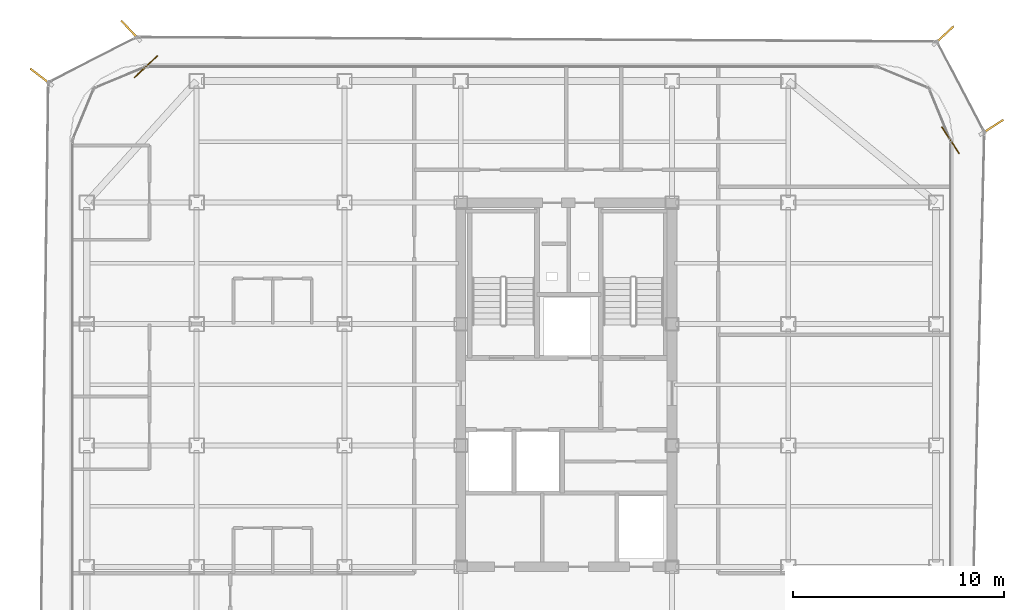
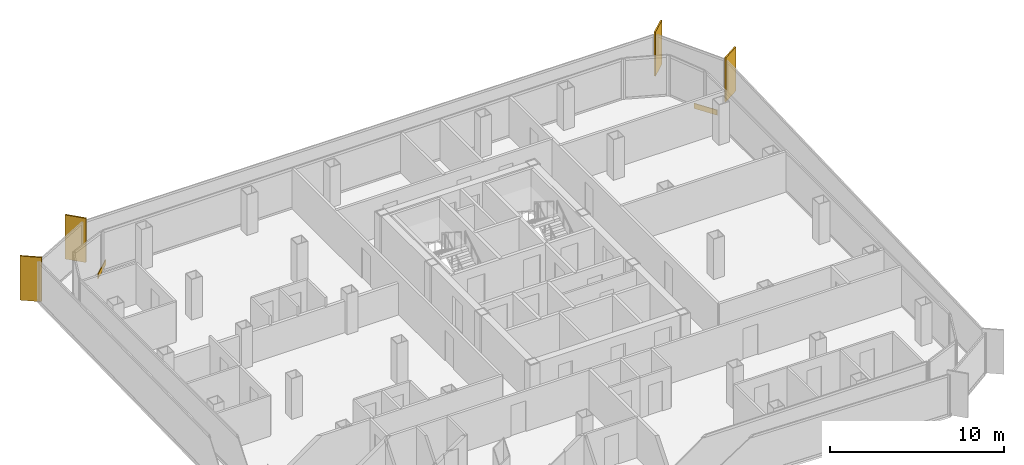
# One storey, part 15 of 15: 4 shading devices, 2 coverings.
"""IFC4 building model written with IfcOpenShell, lengths in metres."""

from ifc_helpers import new_model, si_unit, direction, frame, origin, origin_2d, place, context, subcontext, project, spatial, rectangle, extrude, source, transform, mapped, material, layer, layer_set, type_object, element, save


model = new_model("IFC4")

# Units and contexts
model_context = context("Model", 3, precision=1e-05, world=origin(), true_north=direction((0.0, 1.0)))
body_context = subcontext(model_context, "Body", "Model", "MODEL_VIEW")
ifc_project = project(units=[si_unit("LENGTHUNIT", "METRE"), si_unit("AREAUNIT", "SQUARE_METRE"), si_unit("VOLUMEUNIT", "CUBIC_METRE"), si_unit("PLANEANGLEUNIT", "RADIAN"), si_unit("MASSUNIT", "GRAM", prefix="KILO")], contexts=[model_context])

# Site, building, storey
site_placement = place(None, origin())
site = spatial("IfcSite", under=ifc_project, at=site_placement, CompositionType="ELEMENT")
building_placement = place(site_placement, origin())
building = spatial("IfcBuilding", under=site, at=building_placement, Name="Kolveth Station Tower", CompositionType="ELEMENT")
storey_placement = place(building_placement, frame((0.0, 0.0, 184.89990234375)))
storey = spatial("IfcBuildingStorey", under=building, at=storey_placement, Name="L52", CompositionType="ELEMENT", Elevation=184.89990234375)

# Shading devices
ifc_material_1 = material(Name="Black anodized aluminium 6063-T6", Category="aluminium")
shading_device_type = type_object("IfcShadingDeviceType", Name="FIN_VF1", PredefinedType="USERDEFINED", material=ifc_material_1)
shared_shape_1 = source(origin(), body_context, "Body", "SweptSolid", [
    extrude(rectangle(XDim=1.25, YDim=0.090087890625, at=origin_2d()), origin(), (0.0, 0.0, 1.0), 3.10009765625),
])
for number, where, z_axis, x_axis, name in (
    (1, (43.6650390625, 32.333984375, 0.0), (0.0, 0.0, 1.0), (0.840377460452, 0.54200159037, 0.0), "L52 Dark-Aluminium Solar Fin 3"),
    (2, (41.3759765625, 36.6708984375, 0.0), (0.0, 0.0, 1.0), (0.732661695834, 0.680593005737, 0.0), "L52 Dark-Aluminium Solar Fin 4"),
    (3, (2.860107421875, 36.903076171875, 0.0), (0.0, 0.0, 1.0), (-0.683783356562, 0.729685083642, 0.0), "L52 Dark-Aluminium Solar Fin 5"),
    (4, (-1.376953125, 34.7080078125, 0.0), (0.0, 0.0, 1.0), (-0.793990398648, 0.607930297695, 0.0), "L52 Dark-Aluminium Solar Fin 6"),
):
    element("IfcShadingDevice", number, at=place(storey_placement, frame(where, z_axis=z_axis, x_axis=x_axis)), inside=storey, type_object=shading_device_type, Name=name, ObjectType="FIN", PredefinedType="USERDEFINED", context=body_context, shape_type="MappedRepresentation", body=[
        mapped(shared_shape_1, transform((0.0, 0.0, 0.0), x_axis=(1.0, 0.0, 0.0), y_axis=(0.0, 1.0, 0.0), z_axis=(0.0, 0.0, 1.0), scale=1.0)),
    ])

# Coverings
ifc_material_2 = material(Name="Charcoal anodized aluminium spandrel cladding", Category="aluminium")
ifc_layer = layer(ifc_material_2, 0.044921875)
ifc_layer_set = layer_set([ifc_layer], Name="Charcoal anodized aluminium spandrel cladding")
covering_type = type_object("IfcCoveringType", Name="Clad_CD1", PredefinedType="CLADDING", material=ifc_layer_set)
shared_shape_2 = source(origin(), body_context, "Body", "SweptSolid", [
    extrude(rectangle(XDim=1.5, YDim=0.044921875, at=origin_2d()), origin(), (0.0, 0.0, 1.0), 0.360107421875),
])
for number, where, z_axis, x_axis, name in (
    (5, (41.679931640625, 31.699951171875, 0.0), (0.0, 0.0, 1.0), (-0.54200159037, 0.840377460452, 0.0), "L52 Spandrel Edge Cladding 3"),
    (6, (3.60009765625, 35.179931640625, 0.0), (0.0, 0.0, 1.0), (-0.729685083642, -0.683783356562, 0.0), "L52 Spandrel Edge Cladding 5"),
):
    element("IfcCovering", number, at=place(storey_placement, frame(where, z_axis=z_axis, x_axis=x_axis)), inside=storey, type_object=covering_type, Name=name, PredefinedType="CLADDING", context=body_context, shape_type="MappedRepresentation", body=[
        mapped(shared_shape_2, transform((0.0, 0.0, 0.0), x_axis=(1.0, 0.0, 0.0), y_axis=(0.0, 1.0, 0.0), z_axis=(0.0, 0.0, 1.0), scale=1.0)),
    ])

save(model, "model.ifc")
